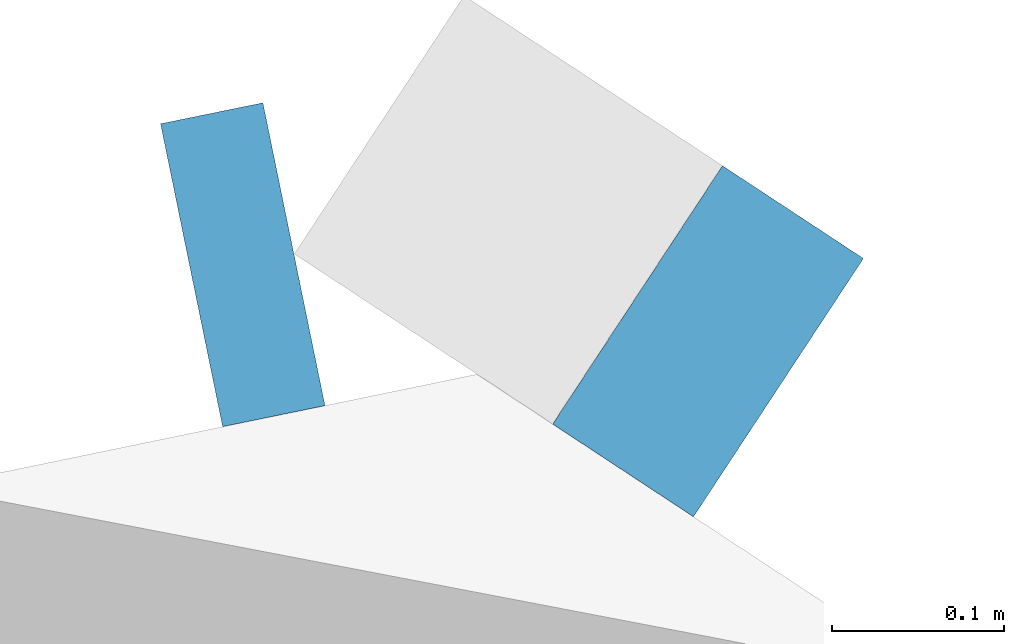
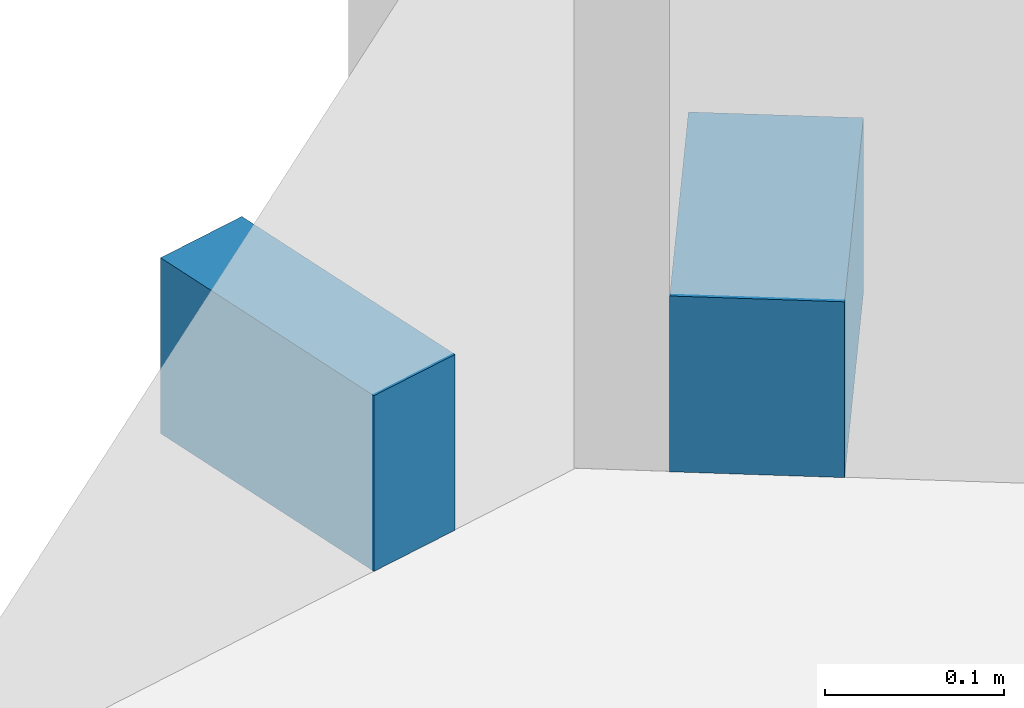
# One storey, part 15 of 24: 2 members, 2 elements without a shape of their own.
"""IFC4 building model written with IfcOpenShell, lengths in metres."""

from ifc_helpers import new_model, si_unit, direction, frame, origin, origin_2d, place, context, subcontext, project, spatial, rectangle, extrude, material, material_profile, profile_set, type_object, element, aggregate, save


model = new_model("IFC4")

# Units and contexts
model_context = context("Model", 3, precision=1e-05, world=origin(), true_north=direction((0.0, 1.0)))
body_context = subcontext(model_context, "Body", "Model", "MODEL_VIEW")
ifc_project = project(units=[si_unit("LENGTHUNIT", "METRE"), si_unit("AREAUNIT", "SQUARE_METRE"), si_unit("VOLUMEUNIT", "CUBIC_METRE"), si_unit("PLANEANGLEUNIT", "RADIAN"), si_unit("MASSUNIT", "GRAM", prefix="KILO")], contexts=[model_context])

# Site, building, storey
site_placement = place(None, origin())
site = spatial("IfcSite", under=ifc_project, at=site_placement, CompositionType="ELEMENT")
building_placement = place(site_placement, origin())
building = spatial("IfcBuilding", under=site, at=building_placement, Name="Orlundy Tower", CompositionType="ELEMENT")
storey_placement = place(building_placement, frame((0.0, 0.0, 239.0)))
storey = spatial("IfcBuildingStorey", under=building, at=storey_placement, Name="L63", CompositionType="ELEMENT", Elevation=239.0)

# Curtain wall, member
ifc_material_1 = material(Name="Aluminium bronze anodised", Category="aluminium")
curtain_wall_type = type_object("IfcCurtainWallType", Name="CW1 wall", PredefinedType="NOTDEFINED", material=ifc_material_1)
curtain_wall_1_placement = place(storey_placement, origin())
curtain_wall_1 = element("IfcCurtainWall", 1, at=curtain_wall_1_placement, inside=storey, type_object=curtain_wall_type, Name="CW1 run 016", PredefinedType="NOTDEFINED")
ifc_material_2 = material(Name="Aluminium bronze anodised", Category="aluminium")
ifc_material_profile = material_profile(ifc_material_2, rectangle(XDim=0.179931640625, YDim=0.1201171875, at=origin_2d()), Name="CW1 transom 180x120")
ifc_profile_set = profile_set([ifc_material_profile], Name="Aluminium bronze anodised")
member_type = type_object("IfcMemberType", Name="CW1 transom 180x120", PredefinedType="USERDEFINED", material=ifc_profile_set)
member_1_placement = place(storey_placement, frame((5.93701171875, 31.95068359375, -0.340087890625), z_axis=(0.97964320999, 0.200746559424, 0.0), x_axis=(-0.200746559424, 0.97964320999, 0.0)))
member_1 = element("IfcMember", 2, at=member_1_placement, type_object=member_type, Name="CW1 transom", ObjectType="TRANSOM", PredefinedType="USERDEFINED", context=body_context, shape_type="SweptSolid", body=[
    extrude(rectangle(XDim=0.179931640625, YDim=0.1201171875, at=origin_2d()), origin(), (0.0, 0.0, 1.0), 0.060791015625),
])
aggregate(curtain_wall_1, [member_1])

curtain_wall_2_placement = place(storey_placement, origin())
curtain_wall_2 = element("IfcCurtainWall", 3, at=curtain_wall_2_placement, inside=storey, type_object=curtain_wall_type, Name="CW1 run 017", PredefinedType="NOTDEFINED")
member_2_placement = place(storey_placement, frame((6.196533203125, 31.939208984375, -0.340087890625), z_axis=(0.835477167613, -0.549525160841, 0.0), x_axis=(0.549525160841, 0.835477167613, 0.0)))
member_2 = element("IfcMember", 4, at=member_2_placement, type_object=member_type, Name="CW1 transom", ObjectType="TRANSOM", PredefinedType="USERDEFINED", context=body_context, shape_type="SweptSolid", body=[
    extrude(rectangle(XDim=0.179931640625, YDim=0.1201171875, at=origin_2d()), origin(), (0.0, 0.0, 1.0), 0.09814453125),
])
aggregate(curtain_wall_2, [member_2])

save(model, "model.ifc")
